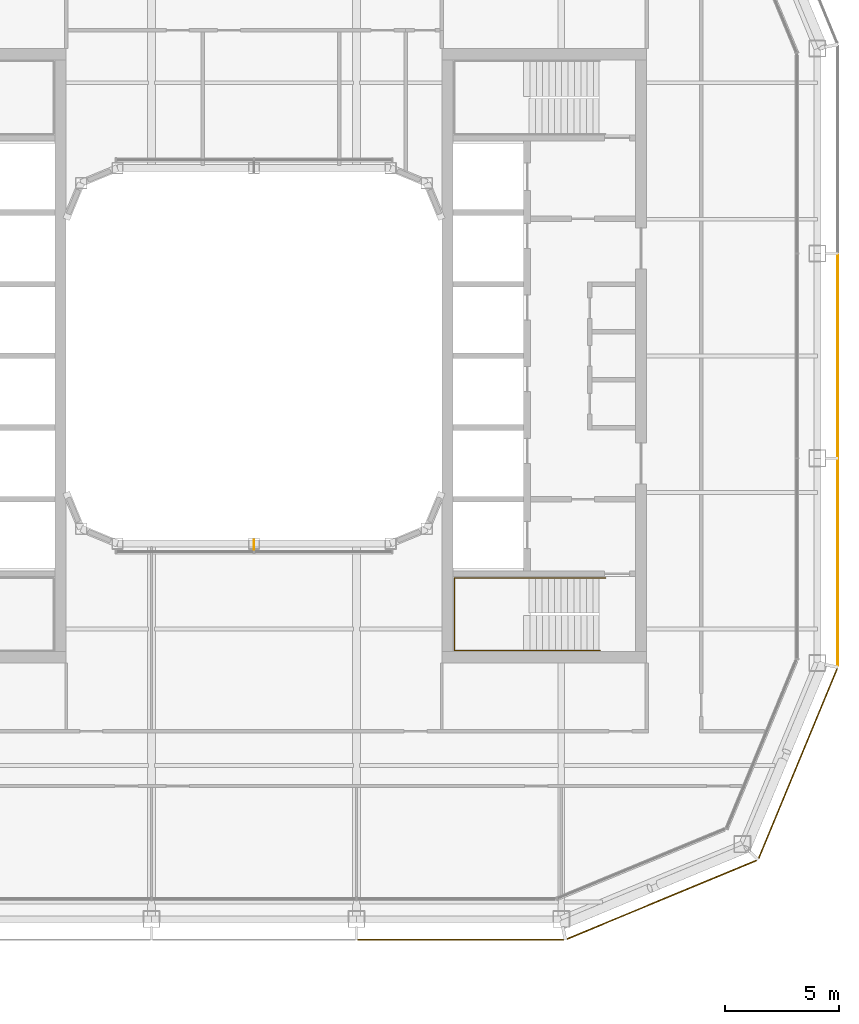
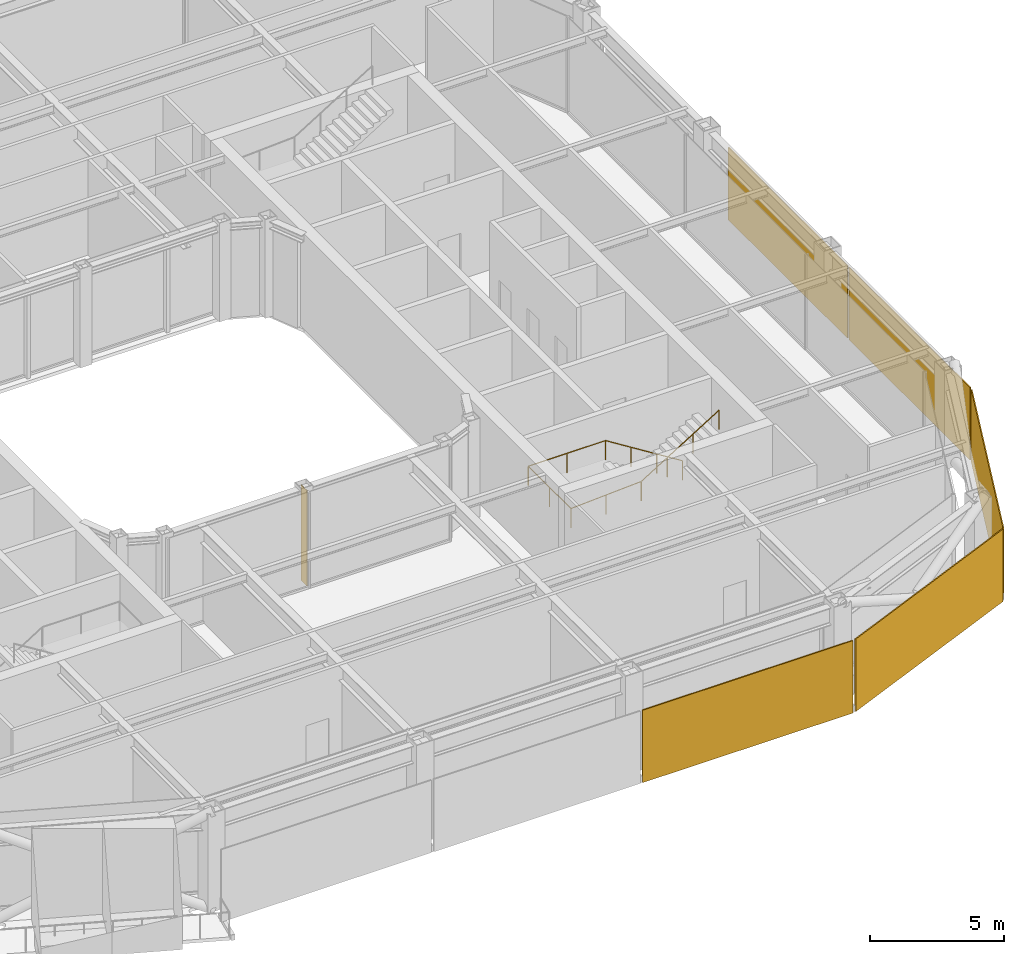
# One storey, part 17 of 20: 5 coverings, 1 railing, 1 shading device.
"""IFC4 building model written with IfcOpenShell, lengths in metres."""

from ifc_helpers import new_model, si_unit, direction, frame, origin, origin_2d, place, context, subcontext, project, spatial, rectangle, circle, extrude, material, layer, layer_set, type_object, element, save


model = new_model("IFC4")

# Units and contexts
model_context = context("Model", 3, precision=1e-05, world=origin(), true_north=direction((0.0, 1.0)))
body_context = subcontext(model_context, "Body", "Model", "MODEL_VIEW")
ifc_project = project(units=[si_unit("LENGTHUNIT", "METRE"), si_unit("AREAUNIT", "SQUARE_METRE"), si_unit("VOLUMEUNIT", "CUBIC_METRE"), si_unit("PLANEANGLEUNIT", "RADIAN"), si_unit("MASSUNIT", "GRAM", prefix="KILO")], contexts=[model_context])

# Site, building, storey
site_placement = place(None, origin())
site = spatial("IfcSite", under=ifc_project, at=site_placement, CompositionType="ELEMENT")
building_placement = place(site_placement, origin())
building = spatial("IfcBuilding", under=site, at=building_placement, Name="Siwar Civic Tower", CompositionType="ELEMENT")
storey_placement = place(building_placement, frame((0.0, 0.0, 316.699951171875)))
storey = spatial("IfcBuildingStorey", under=building, at=storey_placement, Name="L68", CompositionType="ELEMENT", Elevation=316.699951171875)

# Railing
ifc_material_1 = material(Name="Stainless steel", Category="steel")
railing_type = type_object("IfcRailingType", Name="CORE-STAIR-HANDRAIL", PredefinedType="HANDRAIL", material=ifc_material_1)
railing_placement = place(storey_placement, frame((15.449951171875, -9.758056640625, 0.173095703125)))
element("IfcRailing", 1, at=railing_placement, inside=storey, type_object=railing_type, Name="Stair handrail ST4", PredefinedType="HANDRAIL", context=body_context, shape_type="SweptSolid", body=[
    extrude(circle(Radius=0.02001953125, at=origin_2d()), frame((0.0, 0.0, 0.8798828125), z_axis=(-0.847063342986, 0.0, 0.531491950051), x_axis=(0.0, -1.0, 0.0)), (0.0, 0.0, 1.0), 3.90771484375),
    extrude(circle(Radius=0.02001953125, at=origin_2d()), frame((-3.31005859375, 0.0, 2.956787109375), z_axis=(-1.0, 0.0, 0.0), x_axis=(0.0, -1.0, 0.0)), (0.0, 0.0, 1.0), 3.331787109375),
    extrude(circle(Radius=0.02001953125, at=origin_2d()), frame((-6.641845703125, 0.0, 2.956787109375), z_axis=(0.0, -1.0, 0.0), x_axis=(1.0, 0.0, 0.0)), (0.0, 0.0, 1.0), 3.183837890625),
    extrude(circle(Radius=0.02001953125, at=origin_2d()), frame((-6.641845703125, -3.183837890625, 2.956787109375), z_axis=(0.99837434197, 0.0, 0.056997134106), x_axis=(0.0, 1.0, 0.0)), (0.0, 0.0, 1.0), 3.036865234375),
    extrude(circle(Radius=0.02001953125, at=origin_2d()), frame((-3.60986328125, -3.183837890625, 3.1298828125), z_axis=(0.850606129759, 0.0, 0.525803396734), x_axis=(0.0, 1.0, 0.0)), (0.0, 0.0, 1.0), 3.949951171875),
    extrude(circle(Radius=0.02001953125, at=origin_2d()), origin(), (0.0, 0.0, 1.0), 0.85986328125),
    extrude(circle(Radius=0.02001953125, at=origin_2d()), frame((-1.103271484375, 0.0, 0.6923828125)), (0.0, 0.0, 1.0), 0.85986328125),
    extrude(circle(Radius=0.02001953125, at=origin_2d()), frame((-2.206787109375, 0.0, 1.384521484375)), (0.0, 0.0, 1.0), 0.85986328125),
    extrude(circle(Radius=0.02001953125, at=origin_2d()), frame((-3.31005859375, 0.0, 2.076904296875)), (0.0, 0.0, 1.0), 0.85986328125),
    extrude(circle(Radius=0.02001953125, at=origin_2d()), frame((-4.97607421875, 0.0, 2.076904296875)), (0.0, 0.0, 1.0), 0.85986328125),
    extrude(circle(Radius=0.02001953125, at=origin_2d()), frame((-6.641845703125, 0.0, 2.076904296875)), (0.0, 0.0, 1.0), 0.85986328125),
    extrude(circle(Radius=0.02001953125, at=origin_2d()), frame((-6.641845703125, -1.591796875, 2.076904296875)), (0.0, 0.0, 1.0), 0.85986328125),
    extrude(circle(Radius=0.02001953125, at=origin_2d()), frame((-6.641845703125, -3.183837890625, 2.076904296875)), (0.0, 0.0, 1.0), 0.85986328125),
    extrude(circle(Radius=0.02001953125, at=origin_2d()), frame((-5.1259765625, -3.183837890625, 2.16357421875)), (0.0, 0.0, 1.0), 0.85986328125),
    extrude(circle(Radius=0.02001953125, at=origin_2d()), frame((-3.60986328125, -3.183837890625, 2.25)), (0.0, 0.0, 1.0), 0.85986328125),
    extrude(circle(Radius=0.02001953125, at=origin_2d()), frame((-2.489990234375, -3.183837890625, 2.9423828125)), (0.0, 0.0, 1.0), 0.85986328125),
    extrude(circle(Radius=0.02001953125, at=origin_2d()), frame((-1.369873046875, -3.183837890625, 3.634521484375)), (0.0, 0.0, 1.0), 0.85986328125),
    extrude(circle(Radius=0.02001953125, at=origin_2d()), frame((-0.25, -3.183837890625, 4.326904296875)), (0.0, 0.0, 1.0), 0.85986328125),
])

# Shading device
ifc_material_2 = material(Name="Aluminium 6063-T6", Category="aluminium")
ifc_layer_1 = layer(ifc_material_2, 0.02001953125)
ifc_layer_set_1 = layer_set([ifc_layer_1], Name="Aluminium 6063-T6")
shading_device_type = type_object("IfcShadingDeviceType", Name="ENV-FIN", PredefinedType="JALOUSIE", material=ifc_layer_set_1)
shading_device_placement = place(storey_placement, frame((0.0, -8.294921875, 0.0), z_axis=(0.0, 0.0, 1.0), x_axis=(1.0, 0.0, 0.0)))
element("IfcShadingDevice", 2, at=shading_device_placement, inside=storey, type_object=shading_device_type, Name="SUNSHADE fin WS 1", PredefinedType="JALOUSIE", context=body_context, shape_type="SweptSolid", body=[
    extrude(rectangle(XDim=0.02001953125, YDim=0.449951171875, at=origin_2d()), origin(), (0.0, 0.0, 1.0), 4.35009765625),
])

# Coverings
ifc_material_3 = material(Name="Perforated aluminium cassette, pale metal", Category="aluminium")
ifc_layer_2 = layer(ifc_material_3, 0.0400390625)
ifc_layer_set_2 = layer_set([ifc_layer_2], Name="Perforated aluminium cassette, pale metal")
covering_type_1 = type_object("IfcCoveringType", Name="ENV-OUTER SKIN OS-1", PredefinedType="CLADDING", material=ifc_layer_set_2)
covering_1_placement = place(storey_placement, frame((25.64990234375, -9.07958984375, -0.14990234375), z_axis=(0.0, 0.0, 1.0), x_axis=(0.0, 1.0, 0.0)))
element("IfcCovering", 3, at=covering_1_placement, inside=storey, type_object=covering_type_1, Name="OUTER SKIN OS-1 E 1", PredefinedType="CLADDING", context=body_context, shape_type="SweptSolid", body=[
    extrude(rectangle(XDim=9.05908203125, YDim=0.0400390625, at=origin_2d()), origin(), (0.0, 0.0, 1.0), 3.300048828125),
])
covering_2_placement = place(storey_placement, frame((25.64990234375, 0.0, -0.14990234375), z_axis=(0.0, 0.0, 1.0), x_axis=(0.0, 1.0, 0.0)))
element("IfcCovering", 4, at=covering_2_placement, inside=storey, type_object=covering_type_1, Name="OUTER SKIN OS-1 E 2", PredefinedType="CLADDING", context=body_context, shape_type="SweptSolid", body=[
    extrude(rectangle(XDim=8.89990234375, YDim=0.0400390625, at=origin_2d()), origin(), (0.0, 0.0, 1.0), 3.300048828125),
])
ifc_material_4 = material(Name="Perforated aluminium cassette, pale metal", Category="aluminium")
ifc_layer_3 = layer(ifc_material_4, 0.044921875)
ifc_layer_set_3 = layer_set([ifc_layer_3], Name="Perforated aluminium cassette, pale metal")
covering_type_2 = type_object("IfcCoveringType", Name="ENV-OUTER SKIN OS-2", PredefinedType="CLADDING", material=ifc_layer_set_3)
covering_3_placement = place(storey_placement, frame((23.89697265625, -17.911376953125, -0.14990234375), z_axis=(0.0, 0.0, 1.0), x_axis=(0.382683432365, 0.923879532511, 0.0)))
element("IfcCovering", 5, at=covering_3_placement, inside=storey, type_object=covering_type_2, Name="OUTER SKIN OS-2 SE2 1", PredefinedType="CLADDING", context=body_context, shape_type="SweptSolid", body=[
    extrude(rectangle(XDim=9.022216796875, YDim=0.044921875, at=origin_2d()), origin(), (0.0, 0.0, 1.0), 3.300048828125),
])
ifc_material_5 = material(Name="Perforated aluminium cassette, pale metal", Category="aluminium")
ifc_layer_4 = layer(ifc_material_5, 0.050048828125)
ifc_layer_set_4 = layer_set([ifc_layer_4], Name="Perforated aluminium cassette, pale metal")
covering_type_3 = type_object("IfcCoveringType", Name="ENV-OUTER SKIN OS-3", PredefinedType="CLADDING", material=ifc_layer_set_4)
covering_4_placement = place(storey_placement, frame((17.911376953125, -23.89697265625, -0.14990234375), z_axis=(0.0, 0.0, 1.0), x_axis=(0.923879532511, 0.382683432365, 0.0)))
element("IfcCovering", 6, at=covering_4_placement, inside=storey, type_object=covering_type_3, Name="OUTER SKIN OS-3 SE1 1", PredefinedType="CLADDING", context=body_context, shape_type="SweptSolid", body=[
    extrude(rectangle(XDim=9.022216796875, YDim=0.050048828125, at=origin_2d()), origin(), (0.0, 0.0, 1.0), 3.300048828125),
])
ifc_material_6 = material(Name="Perforated aluminium cassette, pale metal", Category="aluminium")
ifc_layer_5 = layer(ifc_material_6, 0.054931640625)
ifc_layer_set_5 = layer_set([ifc_layer_5], Name="Perforated aluminium cassette, pale metal")
covering_type_4 = type_object("IfcCoveringType", Name="ENV-OUTER SKIN OS-4", PredefinedType="CLADDING", material=ifc_layer_set_5)
covering_5_placement = place(storey_placement, frame((9.07958984375, -25.64990234375, -0.14990234375), z_axis=(0.0, 0.0, 1.0), x_axis=(1.0, 0.0, 0.0)))
element("IfcCovering", 7, at=covering_5_placement, inside=storey, type_object=covering_type_4, Name="OUTER SKIN OS-4 S 3", PredefinedType="CLADDING", context=body_context, shape_type="SweptSolid", body=[
    extrude(rectangle(XDim=9.05908203125, YDim=0.054931640625, at=origin_2d()), origin(), (0.0, 0.0, 1.0), 3.300048828125),
])

save(model, "model.ifc")
